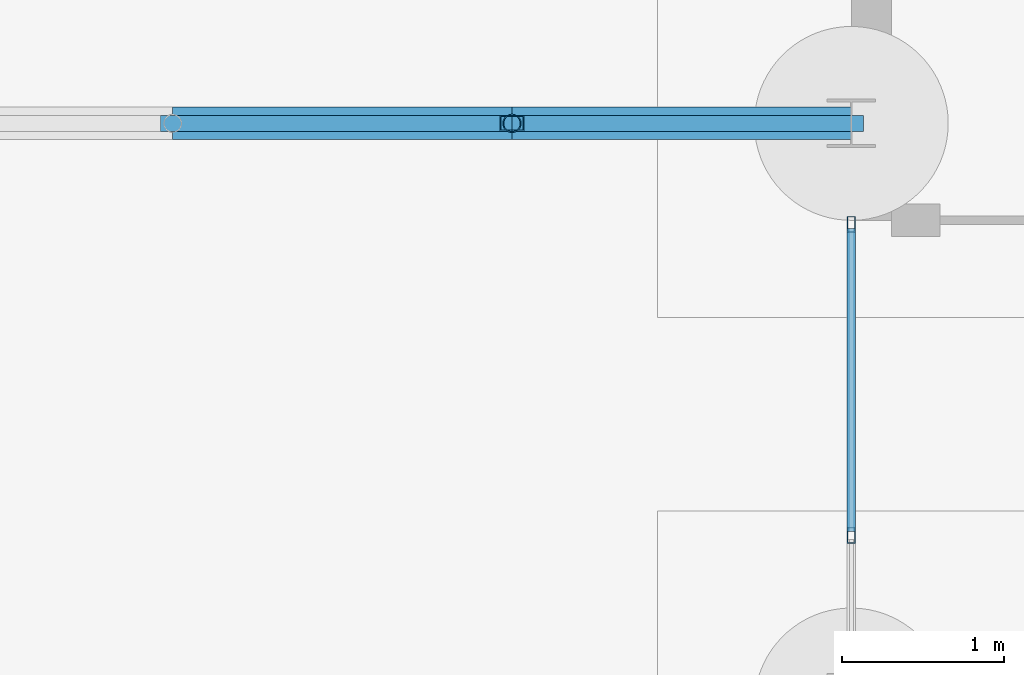
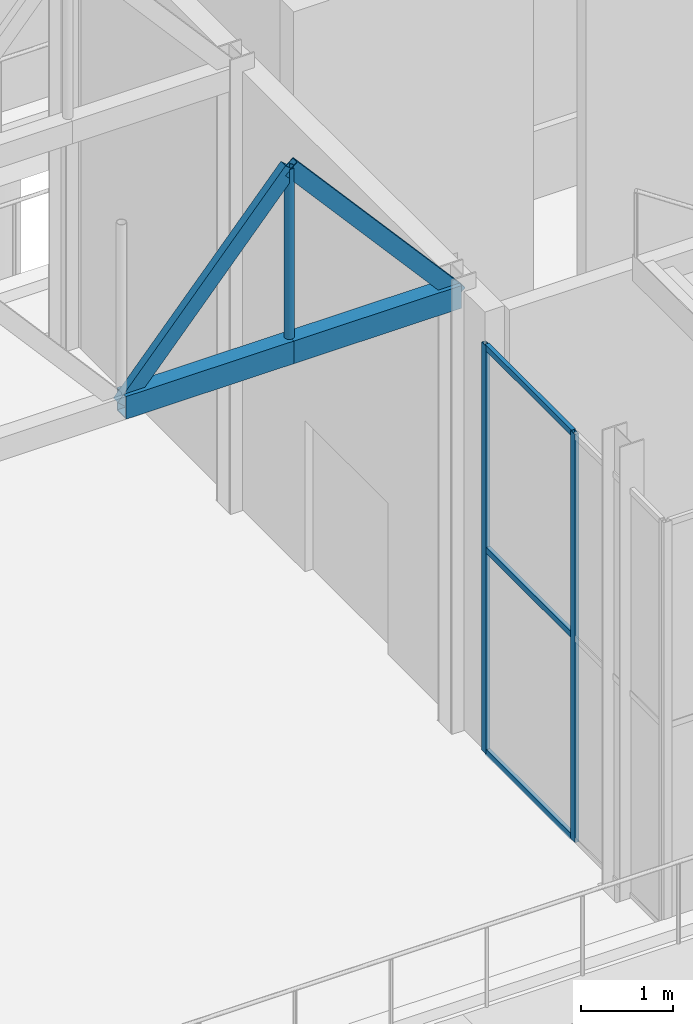
# One storey, part 116 of 212: 10 members, 1 element without a shape of its own.
"""IFC4 building model written with IfcOpenShell, lengths in metres."""

from ifc_helpers import new_model, si_unit, direction, frame, origin, origin_2d, place, context, subcontext, project, spatial, hollow_rectangle, hollow_circle, extrude, material, material_profile, profile_set, type_object, element, aggregate, save


model = new_model("IFC4")

# Units and contexts
model_context = context("Model", 3, precision=1e-05, world=origin(), true_north=direction((0.0, 1.0)))
body_context = subcontext(model_context, "Body", "Model", "MODEL_VIEW")
ifc_project = project(units=[si_unit("LENGTHUNIT", "METRE"), si_unit("AREAUNIT", "SQUARE_METRE"), si_unit("VOLUMEUNIT", "CUBIC_METRE"), si_unit("PLANEANGLEUNIT", "RADIAN"), si_unit("MASSUNIT", "GRAM", prefix="KILO")], contexts=[model_context])

# Site, building, storey
site_placement = place(None, origin())
site = spatial("IfcSite", under=ifc_project, at=site_placement, CompositionType="ELEMENT")
building_placement = place(site_placement, origin())
building = spatial("IfcBuilding", under=site, at=building_placement, Name="Catenary Quay Ferry Terminal", CompositionType="ELEMENT")
storey_placement = place(building_placement, origin())
storey = spatial("IfcBuildingStorey", under=building, at=storey_placement, Name="L00", CompositionType="ELEMENT", Elevation=0.0)

# Members
ifc_material_1 = material(Name="Steel S355", Category="steel")
ifc_material_profile_1 = material_profile(ifc_material_1, hollow_rectangle(XDim=0.10009765625, YDim=0.199951171875, WallThickness=0.008056640625, at=origin_2d()), Name="RHS 200x100x8")
ifc_profile_set_1 = profile_set([ifc_material_profile_1], Name="Steel S355")
member_type_1 = type_object("IfcMemberType", Name="BR3 RHS 200x100x8", PredefinedType="BRACE", material=ifc_profile_set_1)
member_1_placement = place(storey_placement, frame((121.800048828125, 73.199951171875, 5.699951171875), z_axis=(0.658455827614, 0.0, 0.752619374639), x_axis=(0.0, 1.0, 0.0)))
element("IfcMember", 1, at=member_1_placement, inside=storey, type_object=member_type_1, Name="Bridge diagonal BB1S-D15", PredefinedType="BRACE", context=body_context, shape_type="SweptSolid", body=[
    extrude(hollow_rectangle(XDim=0.10009765625, YDim=0.199951171875, WallThickness=0.008056640625, at=origin_2d()), origin(), (0.0, 0.0, 1.0), 3.18896484375),
])
member_2_placement = place(storey_placement, frame((123.89990234375, 73.199951171875, 8.10009765625), z_axis=(0.65849918825, 0.0, -0.752581436839), x_axis=(0.0, 1.0, 0.0)))
element("IfcMember", 2, at=member_2_placement, inside=storey, type_object=member_type_1, Name="Bridge diagonal BB1S-D16", PredefinedType="BRACE", context=body_context, shape_type="SweptSolid", body=[
    extrude(hollow_rectangle(XDim=0.10009765625, YDim=0.199951171875, WallThickness=0.008056640625, at=origin_2d()), origin(), (0.0, 0.0, 1.0), 3.189208984375),
])
ifc_material_2 = material(Name="Steel S355", Category="steel")
ifc_material_profile_2 = material_profile(ifc_material_2, hollow_circle(Radius=0.05712890625, WallThickness=0.00634765625, at=origin_2d()), Name="CHS 114.3x6.3")
ifc_profile_set_2 = profile_set([ifc_material_profile_2], Name="Steel S355")
member_type_2 = type_object("IfcMemberType", Name="HG1 CHS 114.3x6.3", PredefinedType="POST", material=ifc_profile_set_2)
member_3_placement = place(storey_placement, frame((123.89990234375, 73.199951171875, 5.699951171875), z_axis=(0.0, 0.0, 1.0), x_axis=(1.0, 0.0, 0.0)))
element("IfcMember", 3, at=member_3_placement, inside=storey, type_object=member_type_2, Name="Bridge post BB1S-P16", PredefinedType="POST", context=body_context, shape_type="SweptSolid", body=[
    extrude(hollow_circle(Radius=0.05712890625, WallThickness=0.00634765625, at=origin_2d()), origin(), (0.0, 0.0, 1.0), 2.400146484375),
])

# Curtain wall, members
ifc_material_3 = material(Name="Aluminium and glass", Category="aluminium")
curtain_wall_type = type_object("IfcCurtainWallType", Name="CWK", PredefinedType="NOTDEFINED", material=ifc_material_3)
curtain_wall_placement = place(storey_placement, origin())
curtain_wall = element("IfcCurtainWall", 4, at=curtain_wall_placement, inside=storey, type_object=curtain_wall_type, Name="Head berth 1 stair curtain wall CW78", PredefinedType="NOTDEFINED")
ifc_material_4 = material(Name="Aluminium", Category="aluminium")
ifc_material_profile_3 = material_profile(ifc_material_4, hollow_rectangle(XDim=0.050048828125, YDim=0.10009765625, WallThickness=0.0048828125, at=origin_2d()), Name="MU1")
ifc_profile_set_3 = profile_set([ifc_material_profile_3], Name="Aluminium")
member_type_3 = type_object("IfcMemberType", Name="MU1", PredefinedType="MULLION", material=ifc_profile_set_3)
member_4_placement = place(storey_placement, frame((126.0, 70.64990234375, 0.0), z_axis=(0.0, 0.0, 1.0), x_axis=(-1.0, 0.0, 0.0)))
member_4 = element("IfcMember", 5, at=member_4_placement, type_object=member_type_3, Name="CW78 mullion 2", PredefinedType="MULLION", context=body_context, shape_type="SweptSolid", body=[
    extrude(hollow_rectangle(XDim=0.050048828125, YDim=0.10009765625, WallThickness=0.0048828125, at=origin_2d()), origin(), (0.0, 0.0, 1.0), 5.39990234375),
])
member_5_placement = place(storey_placement, frame((126.0, 72.574951171875, 0.0), z_axis=(0.0, 0.0, 1.0), x_axis=(-1.0, 0.0, 0.0)))
member_5 = element("IfcMember", 6, at=member_5_placement, type_object=member_type_3, Name="CW78 mullion 3", PredefinedType="MULLION", context=body_context, shape_type="SweptSolid", body=[
    extrude(hollow_rectangle(XDim=0.050048828125, YDim=0.10009765625, WallThickness=0.0048828125, at=origin_2d()), origin(), (0.0, 0.0, 1.0), 5.39990234375),
])

# Members
ifc_material_5 = material(Name="Steel S355", Category="steel")
ifc_material_profile_4 = material_profile(ifc_material_5, hollow_rectangle(XDim=0.199951171875, YDim=0.300048828125, WallThickness=0.012451171875, at=origin_2d()), Name="RHS 300x200x12.5")
ifc_profile_set_4 = profile_set([ifc_material_profile_4], Name="Steel S355")
member_type_4 = type_object("IfcMemberType", Name="TC1 RHS 300x200x12.5", PredefinedType="CHORD", material=ifc_profile_set_4)
member_6_placement = place(storey_placement, frame((121.800048828125, 73.199951171875, 5.699951171875), z_axis=(1.0, 0.0, 0.0), x_axis=(0.0, 1.0, 0.0)))
element("IfcMember", 7, at=member_6_placement, inside=storey, type_object=member_type_4, Name="Bridge bottom chord BB1S-BC15", PredefinedType="CHORD", context=body_context, shape_type="SweptSolid", body=[
    extrude(hollow_rectangle(XDim=0.199951171875, YDim=0.300048828125, WallThickness=0.012451171875, at=origin_2d()), origin(), (0.0, 0.0, 1.0), 2.099853515625),
])
member_7_placement = place(storey_placement, frame((123.89990234375, 73.199951171875, 5.699951171875), z_axis=(1.0, 0.0, 0.0), x_axis=(0.0, 1.0, 0.0)))
element("IfcMember", 8, at=member_7_placement, inside=storey, type_object=member_type_4, Name="Bridge bottom chord BB1S-BC16", PredefinedType="CHORD", context=body_context, shape_type="SweptSolid", body=[
    extrude(hollow_rectangle(XDim=0.199951171875, YDim=0.300048828125, WallThickness=0.012451171875, at=origin_2d()), origin(), (0.0, 0.0, 1.0), 2.10009765625),
])

# Member
ifc_material_6 = material(Name="Aluminium", Category="aluminium")
ifc_material_profile_5 = material_profile(ifc_material_6, hollow_rectangle(XDim=0.050048828125, YDim=0.080078125, WallThickness=0.00390625, at=origin_2d()), Name="TR1")
ifc_profile_set_5 = profile_set([ifc_material_profile_5], Name="Aluminium")
member_type_5 = type_object("IfcMemberType", Name="TR1", PredefinedType="USERDEFINED", material=ifc_profile_set_5)
member_8_placement = place(storey_placement, frame((126.0, 70.675048828125, 0.02490234375), z_axis=(0.0, 1.0, 0.0), x_axis=(-1.0, 0.0, 0.0)))
member_8 = element("IfcMember", 9, at=member_8_placement, type_object=member_type_5, Name="CW78 transom 2.1", ObjectType="TRANSOM", PredefinedType="USERDEFINED", context=body_context, shape_type="SweptSolid", body=[
    extrude(hollow_rectangle(XDim=0.050048828125, YDim=0.080078125, WallThickness=0.00390625, at=origin_2d()), origin(), (0.0, 0.0, 1.0), 1.875),
])

member_9_placement = place(storey_placement, frame((126.0, 70.675048828125, 2.699951171875), z_axis=(0.0, 1.0, 0.0), x_axis=(-1.0, 0.0, 0.0)))
member_9 = element("IfcMember", 10, at=member_9_placement, type_object=member_type_5, Name="CW78 transom 2.2", ObjectType="TRANSOM", PredefinedType="USERDEFINED", context=body_context, shape_type="SweptSolid", body=[
    extrude(hollow_rectangle(XDim=0.050048828125, YDim=0.080078125, WallThickness=0.00390625, at=origin_2d()), origin(), (0.0, 0.0, 1.0), 1.875),
])

member_10_placement = place(storey_placement, frame((126.0, 70.675048828125, 5.375), z_axis=(0.0, 1.0, 0.0), x_axis=(-1.0, 0.0, 0.0)))
member_10 = element("IfcMember", 11, at=member_10_placement, type_object=member_type_5, Name="CW78 transom 2.3", ObjectType="TRANSOM", PredefinedType="USERDEFINED", context=body_context, shape_type="SweptSolid", body=[
    extrude(hollow_rectangle(XDim=0.050048828125, YDim=0.080078125, WallThickness=0.00390625, at=origin_2d()), origin(), (0.0, 0.0, 1.0), 1.875),
])

aggregate(curtain_wall, [member_4, member_5, member_8, member_9, member_10])

save(model, "model.ifc")
